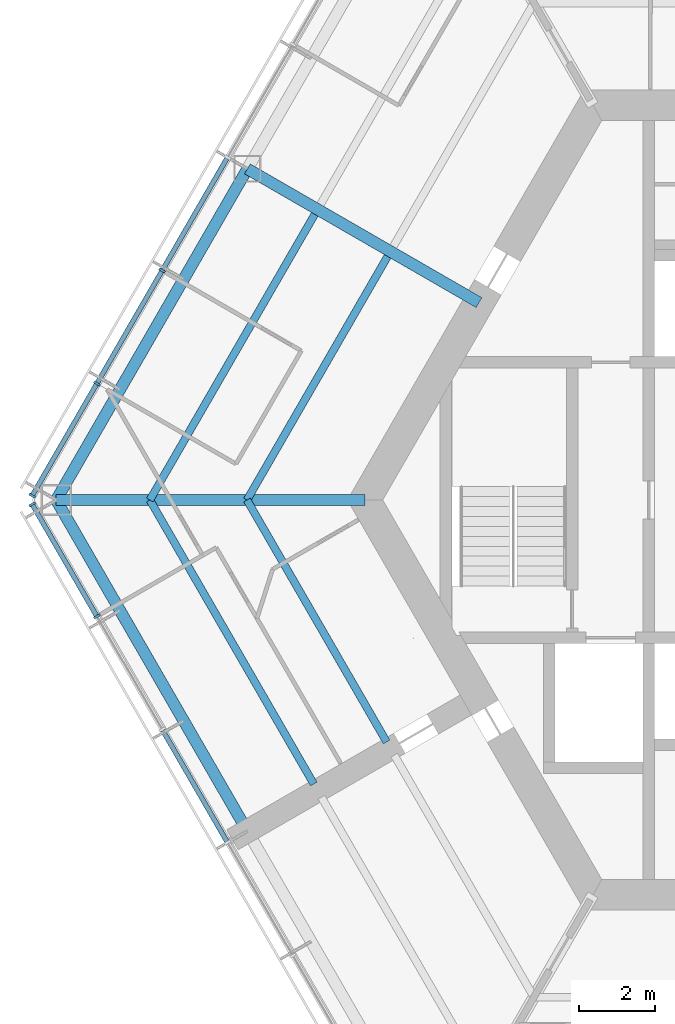
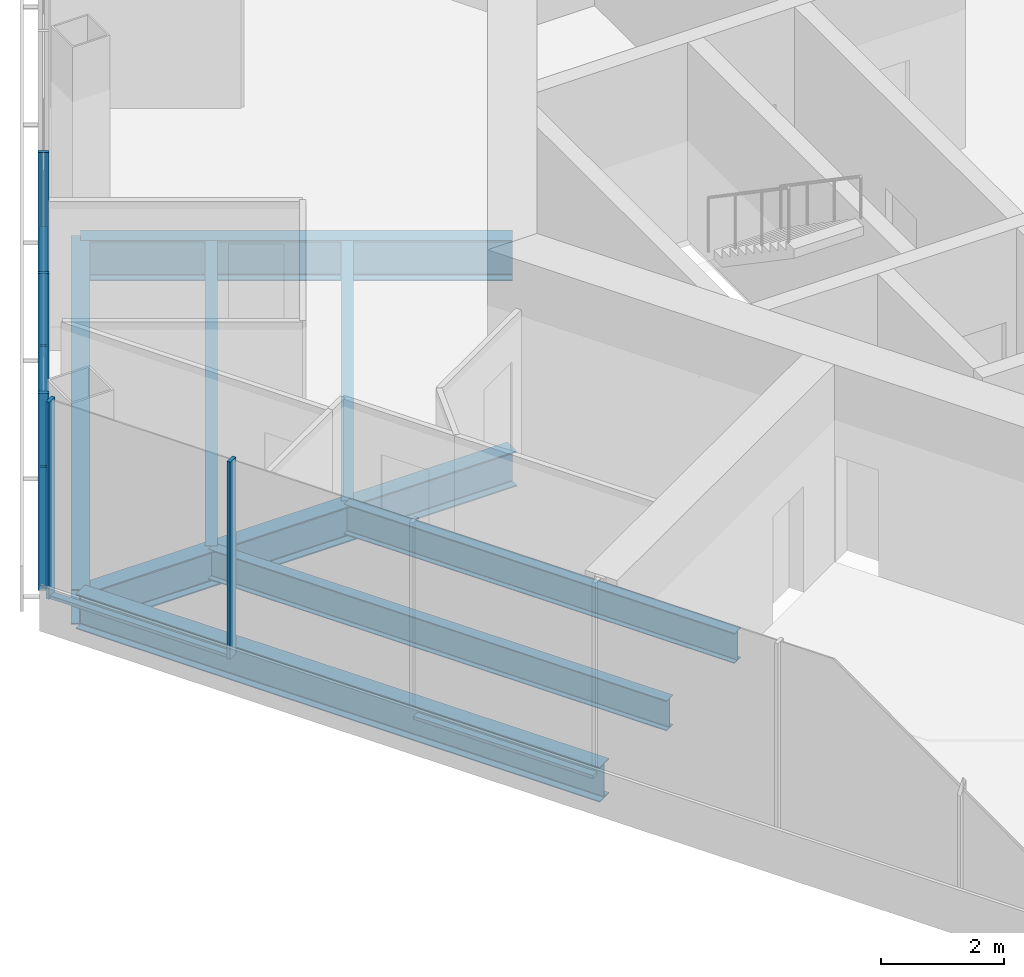
# One storey, part 3 of 13: 10 members, 8 beams, 2 elements without a shape of their own.
"""IFC4 building model written with IfcOpenShell, lengths in metres."""

from ifc_helpers import new_model, si_unit, direction, frame, origin, origin_2d, place, context, subcontext, project, spatial, rectangle, i_section, extrude, material, material_profile, profile_set, type_object, element, aggregate, save


model = new_model("IFC4")

# Units and contexts
model_context = context("Model", 3, precision=1e-05, world=origin(), true_north=direction((0.0, 1.0)))
body_context = subcontext(model_context, "Body", "Model", "MODEL_VIEW")
ifc_project = project(units=[si_unit("LENGTHUNIT", "METRE"), si_unit("AREAUNIT", "SQUARE_METRE"), si_unit("VOLUMEUNIT", "CUBIC_METRE"), si_unit("PLANEANGLEUNIT", "RADIAN"), si_unit("MASSUNIT", "GRAM", prefix="KILO")], contexts=[model_context])

# Site, building, storey
site_placement = place(None, origin())
site = spatial("IfcSite", under=ifc_project, at=site_placement, CompositionType="ELEMENT")
building_placement = place(site_placement, origin())
building = spatial("IfcBuilding", under=site, at=building_placement, Name="Kasaneha Research Tower", CompositionType="ELEMENT")
storey_placement = place(building_placement, frame((0.0, 0.0, 267.39990234375)))
storey = spatial("IfcBuildingStorey", under=building, at=storey_placement, Name="L67", CompositionType="ELEMENT", Elevation=267.39990234375)

# Beams
ifc_material_1 = material(Name="Steel SN490B", Category="steel")
ifc_material_profile_1 = material_profile(ifc_material_1, i_section(OverallWidth=0.199951171875, OverallDepth=0.60009765625, WebThickness=0.010986328125, FlangeThickness=0.01708984375, FilletRadius=0.012939453125, at=origin_2d()), Name="H-600x200x11x17")
ifc_profile_set_1 = profile_set([ifc_material_profile_1], Name="Steel SN490B")
beam_type_1 = type_object("IfcBeamType", Name="B1-3 secondary beam H-600x200x11x17", PredefinedType="JOIST", material=ifc_profile_set_1)
beam_1_placement = place(storey_placement, frame((-15.010986328125, 0.0, -0.449951171875), z_axis=(0.499994443168, 0.866028611999, 0.0), x_axis=(-0.866028611999, 0.499994443168, 0.0)))
element("IfcBeam", 1, at=beam_1_placement, inside=storey, type_object=beam_type_1, Name="Secondary beam RS150R1 L67", PredefinedType="JOIST", context=body_context, shape_type="SweptSolid", body=[
    extrude(i_section(OverallWidth=0.199951171875, OverallDepth=0.60009765625, WebThickness=0.010986328125, FlangeThickness=0.01708984375, FilletRadius=0.012939453125, at=origin_2d()), origin(), (0.0, 0.0, 1.0), 7.35546875),
])
beam_2_placement = place(storey_placement, frame((-17.551513671875, 0.0, -0.449951171875), z_axis=(0.5000050195, 0.866022505755, 0.0), x_axis=(-0.866022505755, 0.5000050195, 0.0)))
element("IfcBeam", 2, at=beam_2_placement, inside=storey, type_object=beam_type_1, Name="Secondary beam RS150R2 L67", PredefinedType="JOIST", context=body_context, shape_type="SweptSolid", body=[
    extrude(i_section(OverallWidth=0.199951171875, OverallDepth=0.60009765625, WebThickness=0.010986328125, FlangeThickness=0.01708984375, FilletRadius=0.012939453125, at=origin_2d()), origin(), (0.0, 0.0, 1.0), 8.6259765625),
])
beam_3_placement = place(storey_placement, frame((-15.010986328125, 0.0, -0.449951171875), z_axis=(0.499974128195, -0.866040340363, 0.0), x_axis=(0.866040340363, 0.499974128195, 0.0)))
element("IfcBeam", 3, at=beam_3_placement, inside=storey, type_object=beam_type_1, Name="Secondary beam RS210L1 L67", PredefinedType="JOIST", context=body_context, shape_type="SweptSolid", body=[
    extrude(i_section(OverallWidth=0.199951171875, OverallDepth=0.60009765625, WebThickness=0.010986328125, FlangeThickness=0.01708984375, FilletRadius=0.012939453125, at=origin_2d()), origin(), (0.0, 0.0, 1.0), 7.3056640625),
])
beam_4_placement = place(storey_placement, frame((-17.551513671875, 0.0, -0.449951171875), z_axis=(0.500000102728, -0.866025344474, 0.0), x_axis=(0.866025344474, 0.500000102728, 0.0)))
element("IfcBeam", 4, at=beam_4_placement, inside=storey, type_object=beam_type_1, Name="Secondary beam RS210L2 L67", PredefinedType="JOIST", context=body_context, shape_type="SweptSolid", body=[
    extrude(i_section(OverallWidth=0.199951171875, OverallDepth=0.60009765625, WebThickness=0.010986328125, FlangeThickness=0.01708984375, FilletRadius=0.012939453125, at=origin_2d()), origin(), (0.0, 0.0, 1.0), 8.57568359375),
])

# Curtain wall, members
ifc_material_2 = material(Name="Glass and aluminium", Category="aluminium")
curtain_wall_type = type_object("IfcCurtainWallType", Name="Crown curtain wall", PredefinedType="USERDEFINED", material=ifc_material_2)
curtain_wall_1_placement = place(storey_placement, origin())
curtain_wall_1 = element("IfcCurtainWall", 5, at=curtain_wall_1_placement, inside=storey, type_object=curtain_wall_type, Name="CW-C L67 run 03a", ObjectType="UNITISED CURTAIN WALL", PredefinedType="USERDEFINED")
ifc_material_3 = material(Name="Aluminium 6063-T6", Category="aluminium")
ifc_material_profile_2 = material_profile(ifc_material_3, rectangle(XDim=0.06005859375, YDim=0.179931640625, at=origin_2d()), Name="CW-C mullion 60x180")
ifc_profile_set_2 = profile_set([ifc_material_profile_2], Name="Aluminium 6063-T6")
member_type_1 = type_object("IfcMemberType", Name="CW-C mullion", PredefinedType="MULLION", material=ifc_profile_set_2)
member_1_placement = place(storey_placement, frame((-17.227294921875, 6.00244140625, 0.0), z_axis=(0.0, 0.0, 1.0), x_axis=(-0.499999995722, -0.866025406254, 0.0)))
member_1 = element("IfcMember", 6, at=member_1_placement, type_object=member_type_1, Name="CW-C mullion 5", PredefinedType="MULLION", context=body_context, shape_type="SweptSolid", body=[
    extrude(rectangle(XDim=0.06005859375, YDim=0.179931640625, at=origin_2d()), origin(), (0.0, 0.0, 1.0), 3.900146484375),
])
member_2_placement = place(storey_placement, frame((-18.93505859375, 3.04443359375, 0.0), z_axis=(0.0, 0.0, 1.0), x_axis=(-0.499999995722, -0.866025406254, 0.0)))
member_2 = element("IfcMember", 7, at=member_2_placement, type_object=member_type_1, Name="CW-C mullion 6", PredefinedType="MULLION", context=body_context, shape_type="SweptSolid", body=[
    extrude(rectangle(XDim=0.06005859375, YDim=0.179931640625, at=origin_2d()), origin(), (0.0, 0.0, 1.0), 3.900146484375),
])
member_3_placement = place(storey_placement, frame((-20.6279296875, 0.112548828125, 0.0), z_axis=(0.0, 0.0, 1.0), x_axis=(-0.499999995722, -0.866025406254, 0.0)))
member_3 = element("IfcMember", 8, at=member_3_placement, type_object=member_type_1, Name="CW-C mullion 7", PredefinedType="MULLION", context=body_context, shape_type="SweptSolid", body=[
    extrude(rectangle(XDim=0.06005859375, YDim=0.179931640625, at=origin_2d()), origin(), (0.0, 0.0, 1.0), 3.900146484375),
])

curtain_wall_2_placement = place(storey_placement, origin())
curtain_wall_2 = element("IfcCurtainWall", 9, at=curtain_wall_2_placement, inside=storey, type_object=curtain_wall_type, Name="CW-C L67 run 04a", ObjectType="UNITISED CURTAIN WALL", PredefinedType="USERDEFINED")
member_4_placement = place(storey_placement, frame((-20.6279296875, -0.112548828125, 0.0), z_axis=(0.0, 0.0, 1.0), x_axis=(0.499999995722, -0.866025406254, 0.0)))
member_4 = element("IfcMember", 10, at=member_4_placement, type_object=member_type_1, Name="CW-C mullion 1", PredefinedType="MULLION", context=body_context, shape_type="SweptSolid", body=[
    extrude(rectangle(XDim=0.06005859375, YDim=0.179931640625, at=origin_2d()), origin(), (0.0, 0.0, 1.0), 3.900146484375),
])
member_5_placement = place(storey_placement, frame((-18.93505859375, -3.04443359375, 0.0), z_axis=(0.0, 0.0, 1.0), x_axis=(0.499999995722, -0.866025406254, 0.0)))
member_5 = element("IfcMember", 11, at=member_5_placement, type_object=member_type_1, Name="CW-C mullion 2", PredefinedType="MULLION", context=body_context, shape_type="SweptSolid", body=[
    extrude(rectangle(XDim=0.06005859375, YDim=0.179931640625, at=origin_2d()), origin(), (0.0, 0.0, 1.0), 3.900146484375),
])

# Member
ifc_material_4 = material(Name="Aluminium 6063-T6", Category="aluminium")
ifc_material_profile_3 = material_profile(ifc_material_4, rectangle(XDim=0.1298828125, YDim=0.06005859375, at=origin_2d()), Name="CW-C transom 130x60")
ifc_profile_set_3 = profile_set([ifc_material_profile_3], Name="Aluminium 6063-T6")
member_type_2 = type_object("IfcMemberType", Name="CW-C transom", PredefinedType="USERDEFINED", material=ifc_profile_set_3)
member_6_placement = place(storey_placement, frame((-15.53466796875, 8.934326171875, 0.030029296875), z_axis=(-0.499989072476, -0.866031712701, 0.0), x_axis=(0.866031712701, -0.499989072476, 0.0)))
member_6 = element("IfcMember", 12, at=member_6_placement, type_object=member_type_2, Name="CW-C transom 4", ObjectType="TRANSOM", PredefinedType="USERDEFINED", context=body_context, shape_type="SweptSolid", body=[
    extrude(rectangle(XDim=0.1298828125, YDim=0.06005859375, at=origin_2d()), origin(), (0.0, 0.0, 1.0), 3.35546875),
])

member_7_placement = place(storey_placement, frame((-17.242431640625, 5.976318359375, 0.030029296875), z_axis=(-0.500020578564, -0.866013522419, 0.0), x_axis=(0.866013522419, -0.500020578564, 0.0)))
member_7 = element("IfcMember", 13, at=member_7_placement, type_object=member_type_2, Name="CW-C transom 5", ObjectType="TRANSOM", PredefinedType="USERDEFINED", context=body_context, shape_type="SweptSolid", body=[
    extrude(rectangle(XDim=0.1298828125, YDim=0.06005859375, at=origin_2d()), origin(), (0.0, 0.0, 1.0), 3.355224609375),
])

member_8_placement = place(storey_placement, frame((-18.9501953125, 3.0185546875, 0.030029296875), z_axis=(-0.49997666526, -0.866038875684, 0.0), x_axis=(0.866038875684, -0.49997666526, 0.0)))
member_8 = element("IfcMember", 14, at=member_8_placement, type_object=member_type_2, Name="CW-C transom 6", ObjectType="TRANSOM", PredefinedType="USERDEFINED", context=body_context, shape_type="SweptSolid", body=[
    extrude(rectangle(XDim=0.1298828125, YDim=0.06005859375, at=origin_2d()), origin(), (0.0, 0.0, 1.0), 3.325439453125),
])

aggregate(curtain_wall_1, [member_1, member_2, member_3, member_6, member_7, member_8])

member_9_placement = place(storey_placement, frame((-20.61279296875, -0.138671875, 0.030029296875), z_axis=(0.49997666526, -0.866038875684, 0.0), x_axis=(0.866038875684, 0.49997666526, 0.0)))
member_9 = element("IfcMember", 15, at=member_9_placement, type_object=member_type_2, Name="CW-C transom 1", ObjectType="TRANSOM", PredefinedType="USERDEFINED", context=body_context, shape_type="SweptSolid", body=[
    extrude(rectangle(XDim=0.1298828125, YDim=0.06005859375, at=origin_2d()), origin(), (0.0, 0.0, 1.0), 3.325439453125),
])

member_10_placement = place(storey_placement, frame((-17.21240234375, -6.0283203125, 0.030029296875), z_axis=(0.499989072476, -0.866031712701, 0.0), x_axis=(0.866031712701, 0.499989072476, 0.0)))
member_10 = element("IfcMember", 16, at=member_10_placement, type_object=member_type_2, Name="CW-C transom 3", ObjectType="TRANSOM", PredefinedType="USERDEFINED", context=body_context, shape_type="SweptSolid", body=[
    extrude(rectangle(XDim=0.1298828125, YDim=0.06005859375, at=origin_2d()), origin(), (0.0, 0.0, 1.0), 3.35546875),
])

aggregate(curtain_wall_2, [member_4, member_5, member_9, member_10])

# Beams
ifc_material_5 = material(Name="Steel SN490B", Category="steel")
ifc_material_profile_4 = material_profile(ifc_material_5, i_section(OverallWidth=0.300048828125, OverallDepth=0.699951171875, WebThickness=0.012939453125, FlangeThickness=0.02392578125, FilletRadius=0.01806640625, at=origin_2d()), Name="H-700x300x13x24")
ifc_profile_set_4 = profile_set([ifc_material_profile_4], Name="Steel SN490B")
beam_type_2 = type_object("IfcBeamType", Name="G1-3 radial girder H-700x300x13x24", PredefinedType="BEAM", material=ifc_profile_set_4)
beam_5_placement = place(storey_placement, frame((-11.92236328125, 0.0, -0.5), z_axis=(-1.0, 0.0, 0.0), x_axis=(0.0, -1.0, 0.0)))
element("IfcBeam", 17, at=beam_5_placement, inside=storey, type_object=beam_type_2, Name="Radial girder RV180 L67", PredefinedType="BEAM", context=body_context, shape_type="SweptSolid", body=[
    extrude(i_section(OverallWidth=0.300048828125, OverallDepth=0.699951171875, WebThickness=0.012939453125, FlangeThickness=0.02392578125, FilletRadius=0.01806640625, at=origin_2d()), origin(), (0.0, 0.0, 1.0), 8.07763671875),
])
ifc_material_6 = material(Name="Steel SN490B", Category="steel")
ifc_material_profile_5 = material_profile(ifc_material_6, i_section(OverallWidth=0.300048828125, OverallDepth=0.800048828125, WebThickness=0.013916015625, FlangeThickness=0.02587890625, FilletRadius=0.01806640625, at=origin_2d()), Name="H-800x300x14x26")
ifc_profile_set_5 = profile_set([ifc_material_profile_5], Name="Steel SN490B")
beam_type_3 = type_object("IfcBeamType", Name="G2-3 radial girder H-800x300x14x26", PredefinedType="BEAM", material=ifc_profile_set_5)
beam_6_placement = place(storey_placement, frame((-8.941650390625, 5.16259765625, -0.5498046875), z_axis=(-0.866039713508, 0.499975214012, 0.0), x_axis=(-0.499975214012, -0.866039713508, 0.0)))
element("IfcBeam", 18, at=beam_6_placement, inside=storey, type_object=beam_type_3, Name="Radial girder RM150 L67", PredefinedType="BEAM", context=body_context, shape_type="SweptSolid", body=[
    extrude(i_section(OverallWidth=0.300048828125, OverallDepth=0.800048828125, WebThickness=0.013916015625, FlangeThickness=0.02587890625, FilletRadius=0.01806640625, at=origin_2d()), origin(), (0.0, 0.0, 1.0), 6.995361328125),
])
ifc_material_7 = material(Name="Steel SN490B", Category="steel")
ifc_material_profile_6 = material_profile(ifc_material_7, i_section(OverallWidth=0.300048828125, OverallDepth=0.69189453125, WebThickness=0.012939453125, FlangeThickness=0.02001953125, FilletRadius=0.01806640625, at=origin_2d()), Name="H-692x300x13x20")
ifc_profile_set_6 = profile_set([ifc_material_profile_6], Name="Steel SN490B")
beam_type_4 = type_object("IfcBeamType", Name="G3-3 plate edge girder H-692x300x13x20", PredefinedType="BEAM", material=ifc_profile_set_6)
beam_7_placement = place(storey_placement, frame((-20.0, 0.0, -0.495849609375), z_axis=(0.49999201416, -0.866030014362, 0.0), x_axis=(0.866030014362, 0.49999201416, 0.0)))
element("IfcBeam", 19, at=beam_7_placement, inside=storey, type_object=beam_type_4, Name="Plate edge girder PEBP L67", PredefinedType="BEAM", context=body_context, shape_type="SweptSolid", body=[
    extrude(i_section(OverallWidth=0.300048828125, OverallDepth=0.69189453125, WebThickness=0.012939453125, FlangeThickness=0.02001953125, FilletRadius=0.01806640625, at=origin_2d()), origin(), (0.0, 0.0, 1.0), 9.800048828125),
])
ifc_material_8 = material(Name="Steel SN490B", Category="steel")
ifc_material_profile_7 = material_profile(ifc_material_8, i_section(OverallWidth=0.300048828125, OverallDepth=0.69189453125, WebThickness=0.012939453125, FlangeThickness=0.02001953125, FilletRadius=0.01806640625, at=origin_2d()), Name="H-692x300x13x20")
ifc_profile_set_7 = profile_set([ifc_material_profile_7], Name="Steel SN490B")
beam_type_5 = type_object("IfcBeamType", Name="SB1-3 spandrel beam H-692x300x13x20", PredefinedType="SPANDREL", material=ifc_profile_set_7)
beam_8_placement = place(storey_placement, frame((-20.0, 0.0, -0.495849609375), z_axis=(0.500004234368, 0.866022959057, 0.0), x_axis=(-0.866022959057, 0.500004234368, 0.0)))
element("IfcBeam", 20, at=beam_8_placement, inside=storey, type_object=beam_type_5, Name="Spandrel beam SR150R L67", PredefinedType="SPANDREL", context=body_context, shape_type="SweptSolid", body=[
    extrude(i_section(OverallWidth=0.300048828125, OverallDepth=0.69189453125, WebThickness=0.012939453125, FlangeThickness=0.02001953125, FilletRadius=0.01806640625, at=origin_2d()), origin(), (0.0, 0.0, 1.0), 10.0),
])

save(model, "model.ifc")
